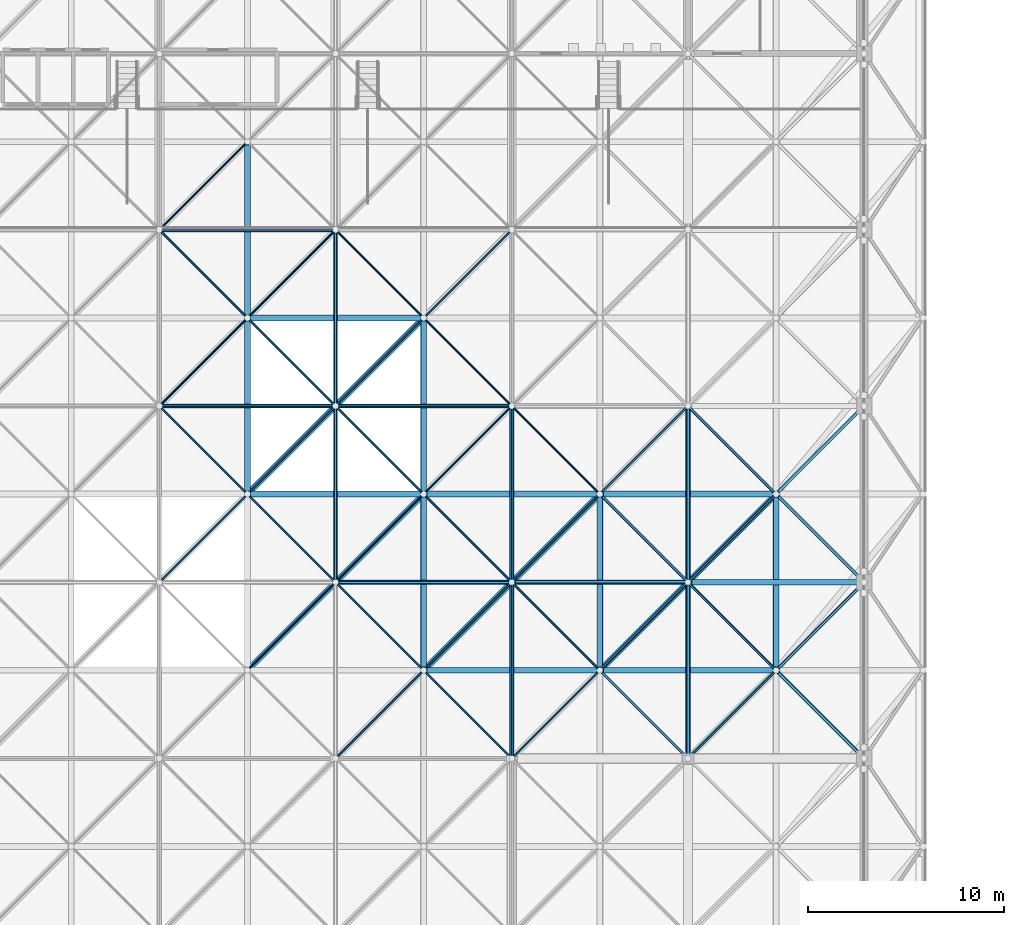
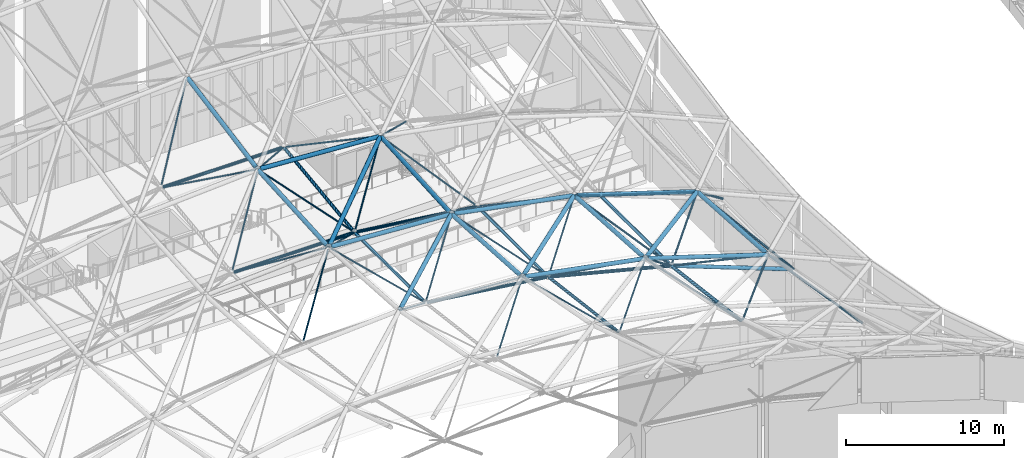
# One storey, part 100 of 437: 66 members.
"""IFC4 building model written with IfcOpenShell, lengths in metres."""

from ifc_helpers import new_model, si_unit, direction, frame, origin, origin_2d, place, context, subcontext, project, spatial, hollow_circle, extrude, material, material_profile, profile_set, type_object, element, save


model = new_model("IFC4")

# Units and contexts
model_context = context("Model", 3, precision=1e-05, world=origin(), true_north=direction((0.0, 1.0)))
body_context = subcontext(model_context, "Body", "Model", "MODEL_VIEW")
ifc_project = project(units=[si_unit("LENGTHUNIT", "METRE"), si_unit("AREAUNIT", "SQUARE_METRE"), si_unit("VOLUMEUNIT", "CUBIC_METRE"), si_unit("PLANEANGLEUNIT", "RADIAN"), si_unit("MASSUNIT", "GRAM", prefix="KILO")], contexts=[model_context])

# Site, building, storey
site_placement = place(None, origin())
site = spatial("IfcSite", under=ifc_project, at=site_placement, CompositionType="ELEMENT")
building_placement = place(site_placement, origin())
building = spatial("IfcBuilding", under=site, at=building_placement, Name="Opaline Strait Convention Centre", CompositionType="ELEMENT")
storey_placement = place(building_placement, frame((0.0, 0.0, 11.5)))
storey = spatial("IfcBuildingStorey", under=building, at=storey_placement, Name="L02", CompositionType="ELEMENT", Elevation=11.5)

# Members
ifc_material = material(Name="Steel Q355B", Category="steel")
ifc_material_profile_1 = material_profile(ifc_material, hollow_circle(Radius=0.109619140625, WallThickness=0.008056640625, at=origin_2d()), Name="CHS 219x8")
ifc_profile_set_1 = profile_set([ifc_material_profile_1], Name="Steel Q355B")
member_type_1 = type_object("IfcMemberType", Name="Shell truss bottom chord CHS 219x8", PredefinedType="CHORD", material=ifc_profile_set_1)
member_1_placement = place(storey_placement, frame((45.14990234375, 144.0, 10.676025390625), z_axis=(0.992034447069, 0.0, -0.125966883853), x_axis=(0.0, 1.0, 0.0)))
element("IfcMember", 1, at=member_1_placement, inside=storey, type_object=member_type_1, Name="PBC3 bottom chord X5-4", PredefinedType="CHORD", context=body_context, shape_type="SweptSolid", body=[
    extrude(hollow_circle(Radius=0.109619140625, WallThickness=0.008056640625, at=origin_2d()), origin(), (0.0, 0.0, 1.0), 8.77001953125),
])
member_2_placement = place(storey_placement, frame((36.14990234375, 153.0, 10.695068359375), z_axis=(1.0, 0.0, 0.0), x_axis=(0.0, 1.0, 0.0)))
element("IfcMember", 2, at=member_2_placement, inside=storey, type_object=member_type_1, Name="PBC3 bottom chord X4-5", PredefinedType="CHORD", context=body_context, shape_type="SweptSolid", body=[
    extrude(hollow_circle(Radius=0.109619140625, WallThickness=0.008056640625, at=origin_2d()), origin(), (0.0, 0.0, 1.0), 8.7001953125),
])
member_3_placement = place(storey_placement, frame((45.14990234375, 153.0, 10.676025390625), z_axis=(0.992034447069, 0.0, -0.125966883853), x_axis=(0.0, 1.0, 0.0)))
element("IfcMember", 3, at=member_3_placement, inside=storey, type_object=member_type_1, Name="PBC3 bottom chord X5-5", PredefinedType="CHORD", context=body_context, shape_type="SweptSolid", body=[
    extrude(hollow_circle(Radius=0.109619140625, WallThickness=0.008056640625, at=origin_2d()), origin(), (0.0, 0.0, 1.0), 8.77001953125),
])
for number, where, z_axis, x_axis, name in (
    (4, (36.14990234375, 162.0, 11.837890625), (1.0, 0.0, 0.0), (0.0, 1.0, 0.0), "PBC3 bottom chord X4-6"),
    (5, (45.0, 144.14990234375, 10.695068359375), (0.0, 1.0, 0.0), (-1.0, 0.0, 0.0), "PBC3 bottom chord Y5-4"),
):
    element("IfcMember", number, at=place(storey_placement, frame(where, z_axis=z_axis, x_axis=x_axis)), inside=storey, type_object=member_type_1, Name=name, PredefinedType="CHORD", context=body_context, shape_type="SweptSolid", body=[
        extrude(hollow_circle(Radius=0.109619140625, WallThickness=0.008056640625, at=origin_2d()), origin(), (0.0, 0.0, 1.0), 8.7001953125),
    ])
for number, where, z_axis, x_axis, name in (
    (6, (45.0, 153.14990234375, 10.714111328125), (0.0, 0.992034447069, 0.125966883853), (-1.0, 0.0, 0.0), "PBC3 bottom chord Y5-5"),
    (7, (54.0, 135.14990234375, 10.676025390625), (0.0, 0.992034447069, -0.125966883853), (-1.0, 0.0, 0.0), "PBC3 bottom chord Y6-3"),
):
    element("IfcMember", number, at=place(storey_placement, frame(where, z_axis=z_axis, x_axis=x_axis)), inside=storey, type_object=member_type_1, Name=name, PredefinedType="CHORD", context=body_context, shape_type="SweptSolid", body=[
        extrude(hollow_circle(Radius=0.109619140625, WallThickness=0.008056640625, at=origin_2d()), origin(), (0.0, 0.0, 1.0), 8.77001953125),
    ])
member_4_placement = place(storey_placement, frame((54.0, 144.14990234375, 9.552001953125), z_axis=(0.0, 1.0, 0.0), x_axis=(-1.0, 0.0, 0.0)))
element("IfcMember", 8, at=member_4_placement, inside=storey, type_object=member_type_1, Name="PBC3 bottom chord Y6-4", PredefinedType="CHORD", context=body_context, shape_type="SweptSolid", body=[
    extrude(hollow_circle(Radius=0.109619140625, WallThickness=0.008056640625, at=origin_2d()), origin(), (0.0, 0.0, 1.0), 8.7001953125),
])
ifc_material_profile_2 = material_profile(ifc_material, hollow_circle(Radius=0.12255859375, WallThickness=0.011962890625, at=origin_2d()), Name="CHS 245x12")
ifc_profile_set_2 = profile_set([ifc_material_profile_2], Name="Steel Q355B")
member_type_2 = type_object("IfcMemberType", Name="Shell truss bottom chord CHS 245x12", PredefinedType="CHORD", material=ifc_profile_set_2)
member_5_placement = place(storey_placement, frame((54.14990234375, 144.0, 9.513916015625), z_axis=(0.969233447146, 0.0, -0.246143301624), x_axis=(0.0, 1.0, 0.0)))
element("IfcMember", 9, at=member_5_placement, inside=storey, type_object=member_type_2, Name="PBC2 bottom chord X6-4", PredefinedType="CHORD", context=body_context, shape_type="SweptSolid", body=[
    extrude(hollow_circle(Radius=0.12255859375, WallThickness=0.011962890625, at=origin_2d()), origin(), (0.0, 0.0, 1.0), 8.976318359375),
])
member_6_placement = place(storey_placement, frame((63.0, 135.14990234375, 8.39013671875), z_axis=(0.0, 0.992034447069, -0.125966883853), x_axis=(-1.0, 0.0, 0.0)))
element("IfcMember", 10, at=member_6_placement, inside=storey, type_object=member_type_2, Name="PBC2 bottom chord Y7-3", PredefinedType="CHORD", context=body_context, shape_type="SweptSolid", body=[
    extrude(hollow_circle(Radius=0.12255859375, WallThickness=0.011962890625, at=origin_2d()), origin(), (0.0, 0.0, 1.0), 8.77001953125),
])
member_7_placement = place(storey_placement, frame((63.0, 144.14990234375, 7.266357421875), z_axis=(0.0, 1.0, 0.0), x_axis=(-1.0, 0.0, 0.0)))
element("IfcMember", 11, at=member_7_placement, inside=storey, type_object=member_type_2, Name="PBC2 bottom chord Y7-4", PredefinedType="CHORD", context=body_context, shape_type="SweptSolid", body=[
    extrude(hollow_circle(Radius=0.12255859375, WallThickness=0.011962890625, at=origin_2d()), origin(), (0.0, 0.0, 1.0), 8.7001953125),
])
ifc_material_profile_3 = material_profile(ifc_material, hollow_circle(Radius=0.136474609375, WallThickness=0.011962890625, at=origin_2d()), Name="CHS 273x12")
ifc_profile_set_3 = profile_set([ifc_material_profile_3], Name="Steel Q355B")
member_type_3 = type_object("IfcMemberType", Name="Shell truss bottom chord CHS 273x12", PredefinedType="CHORD", material=ifc_profile_set_3)
member_8_placement = place(storey_placement, frame((63.14990234375, 144.0, 7.209228515625), z_axis=(0.934493135261, 0.0, -0.355981151397), x_axis=(0.0, 1.0, 0.0)))
element("IfcMember", 12, at=member_8_placement, inside=storey, type_object=member_type_3, Name="PBC1 bottom chord X7-4", PredefinedType="CHORD", context=body_context, shape_type="SweptSolid", body=[
    extrude(hollow_circle(Radius=0.136474609375, WallThickness=0.011962890625, at=origin_2d()), origin(), (0.0, 0.0, 1.0), 9.31005859375),
])
ifc_material_profile_4 = material_profile(ifc_material, hollow_circle(Radius=0.1494140625, WallThickness=0.010009765625, at=origin_2d()), Name="CHS 299x10")
ifc_profile_set_4 = profile_set([ifc_material_profile_4], Name="Steel Q355B")
member_type_4 = type_object("IfcMemberType", Name="Shell truss top chord CHS 299x10", PredefinedType="CHORD", material=ifc_profile_set_4)
member_9_placement = place(storey_placement, frame((49.64990234375, 139.5, 13.81640625), z_axis=(0.982337601302, 0.0, -0.187117174701), x_axis=(0.0, 1.0, 0.0)))
element("IfcMember", 13, at=member_9_placement, inside=storey, type_object=member_type_4, Name="PTC2 top chord X6-4", PredefinedType="CHORD", context=body_context, shape_type="SweptSolid", body=[
    extrude(hollow_circle(Radius=0.1494140625, WallThickness=0.010009765625, at=origin_2d()), origin(), (0.0, 0.0, 1.0), 8.856689453125),
])
member_10_placement = place(storey_placement, frame((40.64990234375, 148.5, 13.83544921875), z_axis=(0.997991520688, 0.0, -0.063347649001), x_axis=(0.0, 1.0, 0.0)))
element("IfcMember", 14, at=member_10_placement, inside=storey, type_object=member_type_4, Name="PTC2 top chord X5-5", PredefinedType="CHORD", context=body_context, shape_type="SweptSolid", body=[
    extrude(hollow_circle(Radius=0.1494140625, WallThickness=0.010009765625, at=origin_2d()), origin(), (0.0, 0.0, 1.0), 8.7177734375),
])
member_11_placement = place(storey_placement, frame((49.64990234375, 148.5, 13.2451171875), z_axis=(0.982337601302, 0.0, -0.187117174701), x_axis=(0.0, 1.0, 0.0)))
element("IfcMember", 15, at=member_11_placement, inside=storey, type_object=member_type_4, Name="PTC2 top chord X6-5", PredefinedType="CHORD", context=body_context, shape_type="SweptSolid", body=[
    extrude(hollow_circle(Radius=0.1494140625, WallThickness=0.010009765625, at=origin_2d()), origin(), (0.0, 0.0, 1.0), 8.856689453125),
])
for number, where, z_axis, x_axis, name in (
    (16, (40.64990234375, 157.5, 14.406982421875), (0.997989749805, 0.0, -0.063375541694), (0.0, 1.0, 0.0), "PTC2 top chord X5-6"),
    (17, (40.5, 148.64990234375, 13.8544921875), (0.0, 0.997989749805, 0.063375541694), (-1.0, 0.0, 0.0), "PTC2 top chord Y5-5"),
):
    element("IfcMember", number, at=place(storey_placement, frame(where, z_axis=z_axis, x_axis=x_axis)), inside=storey, type_object=member_type_4, Name=name, PredefinedType="CHORD", context=body_context, shape_type="SweptSolid", body=[
        extrude(hollow_circle(Radius=0.1494140625, WallThickness=0.010009765625, at=origin_2d()), origin(), (0.0, 0.0, 1.0), 8.7177734375),
    ])
member_12_placement = place(storey_placement, frame((40.5, 157.64990234375, 14.445068359375), z_axis=(0.0, 0.982342667914, 0.187090573777), x_axis=(-1.0, 0.0, 0.0)))
element("IfcMember", 18, at=member_12_placement, inside=storey, type_object=member_type_4, Name="PTC2 top chord Y5-6", PredefinedType="CHORD", context=body_context, shape_type="SweptSolid", body=[
    extrude(hollow_circle(Radius=0.1494140625, WallThickness=0.010009765625, at=origin_2d()), origin(), (0.0, 0.0, 1.0), 8.856689453125),
])
for number, where, z_axis, x_axis, name in (
    (19, (49.5, 139.64990234375, 13.83544921875), (0.0, 0.997991520688, -0.063347649001), (-1.0, 0.0, 0.0), "PTC2 top chord Y6-4"),
    (20, (49.5, 148.64990234375, 13.283203125), (0.0, 0.997991520688, 0.063347649001), (-1.0, 0.0, 0.0), "PTC2 top chord Y6-5"),
):
    element("IfcMember", number, at=place(storey_placement, frame(where, z_axis=z_axis, x_axis=x_axis)), inside=storey, type_object=member_type_4, Name=name, PredefinedType="CHORD", context=body_context, shape_type="SweptSolid", body=[
        extrude(hollow_circle(Radius=0.1494140625, WallThickness=0.010009765625, at=origin_2d()), origin(), (0.0, 0.0, 1.0), 8.7177734375),
    ])
member_13_placement = place(storey_placement, frame((40.606201171875, 139.606201171875, 14.403076171875), z_axis=(0.704272973434, 0.704272973434, -0.089438010823), x_axis=(-0.707106781187, 0.707106781187, 0.0)))
element("IfcMember", 21, at=member_13_placement, inside=storey, type_object=member_type_4, Name="PTC2 top chord D5-4", PredefinedType="CHORD", context=body_context, shape_type="SweptSolid", body=[
    extrude(hollow_circle(Radius=0.1494140625, WallThickness=0.010009765625, at=origin_2d()), origin(), (0.0, 0.0, 1.0), 12.4775390625),
])
member_14_placement = place(storey_placement, frame((40.606201171875, 148.606201171875, 13.844970703125), z_axis=(0.707106781187, 0.707106781187, 0.0), x_axis=(-0.707106781187, 0.707106781187, 0.0)))
element("IfcMember", 22, at=member_14_placement, inside=storey, type_object=member_type_4, Name="PTC2 top chord D5-5", PredefinedType="CHORD", context=body_context, shape_type="SweptSolid", body=[
    extrude(hollow_circle(Radius=0.1494140625, WallThickness=0.010009765625, at=origin_2d()), origin(), (0.0, 0.0, 1.0), 12.427490234375),
])
member_15_placement = place(storey_placement, frame((49.606201171875, 139.606201171875, 13.818115234375), z_axis=(0.695971699433, 0.695971699433, -0.176767607829), x_axis=(-0.707106781187, 0.707106781187, 0.0)))
element("IfcMember", 23, at=member_15_placement, inside=storey, type_object=member_type_4, Name="PTC2 top chord D6-4", PredefinedType="CHORD", context=body_context, shape_type="SweptSolid", body=[
    extrude(hollow_circle(Radius=0.1494140625, WallThickness=0.010009765625, at=origin_2d()), origin(), (0.0, 0.0, 1.0), 12.62646484375),
])
ifc_material_profile_5 = material_profile(ifc_material, hollow_circle(Radius=0.1494140625, WallThickness=0.01611328125, at=origin_2d()), Name="CHS 299x16")
ifc_profile_set_5 = profile_set([ifc_material_profile_5], Name="Steel Q355B")
member_type_5 = type_object("IfcMemberType", Name="Shell truss top chord CHS 299x16", PredefinedType="CHORD", material=ifc_profile_set_5)
member_16_placement = place(storey_placement, frame((58.64990234375, 139.5, 12.0830078125), z_axis=(0.953132102782, 0.0, -0.302554449059), x_axis=(0.0, 1.0, 0.0)))
element("IfcMember", 24, at=member_16_placement, inside=storey, type_object=member_type_5, Name="PTC1 top chord X7-4", PredefinedType="CHORD", context=body_context, shape_type="SweptSolid", body=[
    extrude(hollow_circle(Radius=0.1494140625, WallThickness=0.01611328125, at=origin_2d()), origin(), (0.0, 0.0, 1.0), 9.1279296875),
])
member_17_placement = place(storey_placement, frame((58.64990234375, 148.5, 11.51171875), z_axis=(0.95312438958, 0.0, -0.302578746754), x_axis=(0.0, 1.0, 0.0)))
element("IfcMember", 25, at=member_17_placement, inside=storey, type_object=member_type_5, Name="PTC1 top chord X7-5", PredefinedType="CHORD", context=body_context, shape_type="SweptSolid", body=[
    extrude(hollow_circle(Radius=0.1494140625, WallThickness=0.01611328125, at=origin_2d()), origin(), (0.0, 0.0, 1.0), 9.128173828125),
])
for number, where, z_axis, x_axis, name in (
    (26, (58.5, 139.64990234375, 12.12109375), (0.0, 0.997991520688, -0.063347649001), (-1.0, 0.0, 0.0), "PTC1 top chord Y7-4"),
    (27, (67.5, 139.64990234375, 9.263916015625), (0.0, 0.997991520688, -0.063347649001), (-1.0, 0.0, 0.0), "PTC1 top chord Y8-4"),
):
    element("IfcMember", number, at=place(storey_placement, frame(where, z_axis=z_axis, x_axis=x_axis)), inside=storey, type_object=member_type_5, Name=name, PredefinedType="CHORD", context=body_context, shape_type="SweptSolid", body=[
        extrude(hollow_circle(Radius=0.1494140625, WallThickness=0.01611328125, at=origin_2d()), origin(), (0.0, 0.0, 1.0), 8.7177734375),
    ])
member_18_placement = place(storey_placement, frame((58.606201171875, 139.606201171875, 12.09033203125), z_axis=(0.682765524407, 0.682765524407, -0.260120121026), x_axis=(-0.707106781187, 0.707106781187, 0.0)))
element("IfcMember", 28, at=member_18_placement, inside=storey, type_object=member_type_5, Name="PTC1 top chord D7-4", PredefinedType="CHORD", context=body_context, shape_type="SweptSolid", body=[
    extrude(hollow_circle(Radius=0.1494140625, WallThickness=0.01611328125, at=origin_2d()), origin(), (0.0, 0.0, 1.0), 12.87060546875),
])
ifc_material_profile_6 = material_profile(ifc_material, hollow_circle(Radius=0.056884765625, WallThickness=0.006103515625, at=origin_2d()), Name="CHS 114x6")
ifc_profile_set_6 = profile_set([ifc_material_profile_6], Name="Steel Q355B")
member_type_6 = type_object("IfcMemberType", Name="Shell truss web CHS 114x6", PredefinedType="BRACE", material=ifc_profile_set_6)
for number, where, z_axis, x_axis, name in (
    (29, (36.106201171875, 144.106201171875, 10.769287109375), (0.633718163842, 0.633718163842, 0.443624365464), (-0.707106781187, 0.707106781187, 0.0), "PWB3 web 4-4bd"),
    (30, (36.106201171875, 152.893798828125, 10.769287109375), (0.633718163842, -0.633718163842, 0.443624365464), (0.707106781187, 0.707106781187, 0.0), "PWB3 web 4-5bc"),
):
    element("IfcMember", number, at=place(storey_placement, frame(where, z_axis=z_axis, x_axis=x_axis)), inside=storey, type_object=member_type_6, Name=name, PredefinedType="BRACE", context=body_context, shape_type="SweptSolid", body=[
        extrude(hollow_circle(Radius=0.056884765625, WallThickness=0.006103515625, at=origin_2d()), origin(), (0.0, 0.0, 1.0), 6.765869140625),
    ])
member_19_placement = place(storey_placement, frame((36.106201171875, 153.106201171875, 10.78271484375), z_axis=(0.61039752844, 0.61039752844, 0.504806611039), x_axis=(-0.707106781187, 0.707106781187, 0.0)))
element("IfcMember", 31, at=member_19_placement, inside=storey, type_object=member_type_6, Name="PWB3 web 4-5bd", PredefinedType="BRACE", context=body_context, shape_type="SweptSolid", body=[
    extrude(hollow_circle(Radius=0.056884765625, WallThickness=0.006103515625, at=origin_2d()), origin(), (0.0, 0.0, 1.0), 7.024169921875),
])
member_20_placement = place(storey_placement, frame((36.106201171875, 161.893798828125, 11.898681640625), z_axis=(0.655347879398, -0.655347879398, 0.375550680917), x_axis=(0.707106781187, 0.707106781187, 0.0)))
element("IfcMember", 32, at=member_20_placement, inside=storey, type_object=member_type_6, Name="PWB3 web 4-6bc", PredefinedType="BRACE", context=body_context, shape_type="SweptSolid", body=[
    extrude(hollow_circle(Radius=0.056884765625, WallThickness=0.006103515625, at=origin_2d()), origin(), (0.0, 0.0, 1.0), 6.54248046875),
])
member_21_placement = place(storey_placement, frame((36.106201171875, 162.106201171875, 11.93896484375), z_axis=(0.58618937533, 0.58618937533, 0.559253102361), x_axis=(-0.707106781187, 0.707106781187, 0.0)))
element("IfcMember", 33, at=member_21_placement, inside=storey, type_object=member_type_6, Name="PWB3 web 4-6bd", PredefinedType="BRACE", context=body_context, shape_type="SweptSolid", body=[
    extrude(hollow_circle(Radius=0.056884765625, WallThickness=0.006103515625, at=origin_2d()), origin(), (0.0, 0.0, 1.0), 7.314453125),
])
member_22_placement = place(storey_placement, frame((45.106201171875, 135.106201171875, 11.88525390625), z_axis=(0.674363311794, 0.674363311794, 0.300779399914), x_axis=(-0.707106781187, 0.707106781187, 0.0)))
element("IfcMember", 34, at=member_22_placement, inside=storey, type_object=member_type_6, Name="PWB3 web 5-3bd", PredefinedType="BRACE", context=body_context, shape_type="SweptSolid", body=[
    extrude(hollow_circle(Radius=0.056884765625, WallThickness=0.006103515625, at=origin_2d()), origin(), (0.0, 0.0, 1.0), 6.35791015625),
])
member_23_placement = place(storey_placement, frame((44.893798828125, 143.893798828125, 10.78271484375), z_axis=(-0.61039752844, -0.61039752844, 0.504806611039), x_axis=(0.707106781187, -0.707106781187, 0.0)))
element("IfcMember", 35, at=member_23_placement, inside=storey, type_object=member_type_6, Name="PWB3 web 5-4ac", PredefinedType="BRACE", context=body_context, shape_type="SweptSolid", body=[
    extrude(hollow_circle(Radius=0.056884765625, WallThickness=0.006103515625, at=origin_2d()), origin(), (0.0, 0.0, 1.0), 7.024169921875),
])
for number, where, z_axis, x_axis, name in (
    (36, (44.893798828125, 144.106201171875, 10.769287109375), (-0.633718163842, 0.633718163842, 0.443624365464), (-0.707106781187, -0.707106781187, 0.0), "PWB3 web 5-4ad"),
    (37, (45.106201171875, 143.893798828125, 10.769287109375), (0.633718163842, -0.633718163842, 0.443624365464), (0.707106781187, 0.707106781187, 0.0), "PWB3 web 5-4bc"),
):
    element("IfcMember", number, at=place(storey_placement, frame(where, z_axis=z_axis, x_axis=x_axis)), inside=storey, type_object=member_type_6, Name=name, PredefinedType="BRACE", context=body_context, shape_type="SweptSolid", body=[
        extrude(hollow_circle(Radius=0.056884765625, WallThickness=0.006103515625, at=origin_2d()), origin(), (0.0, 0.0, 1.0), 6.765869140625),
    ])
member_24_placement = place(storey_placement, frame((45.106201171875, 144.106201171875, 10.755859375), z_axis=(0.655347879398, 0.655347879398, 0.375550680917), x_axis=(-0.707106781187, 0.707106781187, 0.0)))
element("IfcMember", 38, at=member_24_placement, inside=storey, type_object=member_type_6, Name="PWB3 web 5-4bd", PredefinedType="BRACE", context=body_context, shape_type="SweptSolid", body=[
    extrude(hollow_circle(Radius=0.056884765625, WallThickness=0.006103515625, at=origin_2d()), origin(), (0.0, 0.0, 1.0), 6.54248046875),
])
member_25_placement = place(storey_placement, frame((44.893798828125, 152.893798828125, 10.769287109375), z_axis=(-0.633718163842, -0.633718163842, 0.443624365464), x_axis=(0.707106781187, -0.707106781187, 0.0)))
element("IfcMember", 39, at=member_25_placement, inside=storey, type_object=member_type_6, Name="PWB3 web 5-5ac", PredefinedType="BRACE", context=body_context, shape_type="SweptSolid", body=[
    extrude(hollow_circle(Radius=0.056884765625, WallThickness=0.006103515625, at=origin_2d()), origin(), (0.0, 0.0, 1.0), 6.765869140625),
])
member_26_placement = place(storey_placement, frame((44.893798828125, 153.106201171875, 10.78271484375), z_axis=(-0.61039752844, 0.61039752844, 0.504806611039), x_axis=(-0.707106781187, -0.707106781187, 0.0)))
element("IfcMember", 40, at=member_26_placement, inside=storey, type_object=member_type_6, Name="PWB3 web 5-5ad", PredefinedType="BRACE", context=body_context, shape_type="SweptSolid", body=[
    extrude(hollow_circle(Radius=0.056884765625, WallThickness=0.006103515625, at=origin_2d()), origin(), (0.0, 0.0, 1.0), 7.024169921875),
])
member_27_placement = place(storey_placement, frame((45.106201171875, 152.893798828125, 10.755859375), z_axis=(0.655347879398, -0.655347879398, 0.375550680917), x_axis=(0.707106781187, 0.707106781187, 0.0)))
element("IfcMember", 41, at=member_27_placement, inside=storey, type_object=member_type_6, Name="PWB3 web 5-5bc", PredefinedType="BRACE", context=body_context, shape_type="SweptSolid", body=[
    extrude(hollow_circle(Radius=0.056884765625, WallThickness=0.006103515625, at=origin_2d()), origin(), (0.0, 0.0, 1.0), 6.54248046875),
])
member_28_placement = place(storey_placement, frame((45.106201171875, 153.106201171875, 10.769287109375), z_axis=(0.633718163842, 0.633718163842, 0.443624365464), x_axis=(-0.707106781187, 0.707106781187, 0.0)))
element("IfcMember", 42, at=member_28_placement, inside=storey, type_object=member_type_6, Name="PWB3 web 5-5bd", PredefinedType="BRACE", context=body_context, shape_type="SweptSolid", body=[
    extrude(hollow_circle(Radius=0.056884765625, WallThickness=0.006103515625, at=origin_2d()), origin(), (0.0, 0.0, 1.0), 6.765869140625),
])
member_29_placement = place(storey_placement, frame((44.893798828125, 161.893798828125, 11.898681640625), z_axis=(-0.655347879398, -0.655347879398, 0.375550680917), x_axis=(0.707106781187, -0.707106781187, 0.0)))
element("IfcMember", 43, at=member_29_placement, inside=storey, type_object=member_type_6, Name="PWB3 web 5-6ac", PredefinedType="BRACE", context=body_context, shape_type="SweptSolid", body=[
    extrude(hollow_circle(Radius=0.056884765625, WallThickness=0.006103515625, at=origin_2d()), origin(), (0.0, 0.0, 1.0), 6.54248046875),
])
member_30_placement = place(storey_placement, frame((45.106201171875, 161.893798828125, 11.88525390625), z_axis=(0.674363311794, -0.674363311794, 0.300779399914), x_axis=(0.707106781187, 0.707106781187, 0.0)))
element("IfcMember", 44, at=member_30_placement, inside=storey, type_object=member_type_6, Name="PWB3 web 5-6bc", PredefinedType="BRACE", context=body_context, shape_type="SweptSolid", body=[
    extrude(hollow_circle(Radius=0.056884765625, WallThickness=0.006103515625, at=origin_2d()), origin(), (0.0, 0.0, 1.0), 6.35791015625),
])
member_31_placement = place(storey_placement, frame((53.893798828125, 135.106201171875, 10.769287109375), z_axis=(-0.633718163842, 0.633718163842, 0.443624365464), x_axis=(-0.707106781187, -0.707106781187, 0.0)))
element("IfcMember", 45, at=member_31_placement, inside=storey, type_object=member_type_6, Name="PWB3 web 6-3ad", PredefinedType="BRACE", context=body_context, shape_type="SweptSolid", body=[
    extrude(hollow_circle(Radius=0.056884765625, WallThickness=0.006103515625, at=origin_2d()), origin(), (0.0, 0.0, 1.0), 6.765869140625),
])
member_32_placement = place(storey_placement, frame((54.106201171875, 135.106201171875, 10.728759765625), z_axis=(0.689766139831, 0.689766139831, 0.220103031979), x_axis=(-0.707106781187, 0.707106781187, 0.0)))
element("IfcMember", 46, at=member_32_placement, inside=storey, type_object=member_type_6, Name="PWB3 web 6-3bd", PredefinedType="BRACE", context=body_context, shape_type="SweptSolid", body=[
    extrude(hollow_circle(Radius=0.056884765625, WallThickness=0.006103515625, at=origin_2d()), origin(), (0.0, 0.0, 1.0), 6.216064453125),
])
member_33_placement = place(storey_placement, frame((53.893798828125, 143.893798828125, 9.6533203125), z_axis=(-0.58618937533, -0.58618937533, 0.559253102361), x_axis=(0.707106781187, -0.707106781187, 0.0)))
element("IfcMember", 47, at=member_33_placement, inside=storey, type_object=member_type_6, Name="PWB3 web 6-4ac", PredefinedType="BRACE", context=body_context, shape_type="SweptSolid", body=[
    extrude(hollow_circle(Radius=0.056884765625, WallThickness=0.006103515625, at=origin_2d()), origin(), (0.0, 0.0, 1.0), 7.314453125),
])
member_34_placement = place(storey_placement, frame((53.893798828125, 144.106201171875, 9.639892578125), z_axis=(-0.61039752844, 0.61039752844, 0.504806611039), x_axis=(-0.707106781187, -0.707106781187, 0.0)))
element("IfcMember", 48, at=member_34_placement, inside=storey, type_object=member_type_6, Name="PWB3 web 6-4ad", PredefinedType="BRACE", context=body_context, shape_type="SweptSolid", body=[
    extrude(hollow_circle(Radius=0.056884765625, WallThickness=0.006103515625, at=origin_2d()), origin(), (0.0, 0.0, 1.0), 7.024169921875),
])
member_35_placement = place(storey_placement, frame((54.106201171875, 143.893798828125, 9.61279296875), z_axis=(0.655347879398, -0.655347879398, 0.375550680917), x_axis=(0.707106781187, 0.707106781187, 0.0)))
element("IfcMember", 49, at=member_35_placement, inside=storey, type_object=member_type_6, Name="PWB3 web 6-4bc", PredefinedType="BRACE", context=body_context, shape_type="SweptSolid", body=[
    extrude(hollow_circle(Radius=0.056884765625, WallThickness=0.006103515625, at=origin_2d()), origin(), (0.0, 0.0, 1.0), 6.54248046875),
])
member_36_placement = place(storey_placement, frame((54.106201171875, 144.106201171875, 9.599609375), z_axis=(0.674363311794, 0.674363311794, 0.300779399914), x_axis=(-0.707106781187, 0.707106781187, 0.0)))
element("IfcMember", 50, at=member_36_placement, inside=storey, type_object=member_type_6, Name="PWB3 web 6-4bd", PredefinedType="BRACE", context=body_context, shape_type="SweptSolid", body=[
    extrude(hollow_circle(Radius=0.056884765625, WallThickness=0.006103515625, at=origin_2d()), origin(), (0.0, 0.0, 1.0), 6.35791015625),
])
member_37_placement = place(storey_placement, frame((53.893798828125, 152.893798828125, 9.639892578125), z_axis=(-0.61039752844, -0.61039752844, 0.504806611039), x_axis=(0.707106781187, -0.707106781187, 0.0)))
element("IfcMember", 51, at=member_37_placement, inside=storey, type_object=member_type_6, Name="PWB3 web 6-5ac", PredefinedType="BRACE", context=body_context, shape_type="SweptSolid", body=[
    extrude(hollow_circle(Radius=0.056884765625, WallThickness=0.006103515625, at=origin_2d()), origin(), (0.0, 0.0, 1.0), 7.024169921875),
])
member_38_placement = place(storey_placement, frame((53.893798828125, 153.106201171875, 9.6533203125), z_axis=(-0.58618937533, 0.58618937533, 0.559253102361), x_axis=(-0.707106781187, -0.707106781187, 0.0)))
element("IfcMember", 52, at=member_38_placement, inside=storey, type_object=member_type_6, Name="PWB3 web 6-5ad", PredefinedType="BRACE", context=body_context, shape_type="SweptSolid", body=[
    extrude(hollow_circle(Radius=0.056884765625, WallThickness=0.006103515625, at=origin_2d()), origin(), (0.0, 0.0, 1.0), 7.314453125),
])
member_39_placement = place(storey_placement, frame((54.106201171875, 152.893798828125, 9.599609375), z_axis=(0.674363311794, -0.674363311794, 0.300779399914), x_axis=(0.707106781187, 0.707106781187, 0.0)))
element("IfcMember", 53, at=member_39_placement, inside=storey, type_object=member_type_6, Name="PWB3 web 6-5bc", PredefinedType="BRACE", context=body_context, shape_type="SweptSolid", body=[
    extrude(hollow_circle(Radius=0.056884765625, WallThickness=0.006103515625, at=origin_2d()), origin(), (0.0, 0.0, 1.0), 6.35791015625),
])
member_40_placement = place(storey_placement, frame((53.893798828125, 161.893798828125, 10.769287109375), z_axis=(-0.633718163842, -0.633718163842, 0.443624365464), x_axis=(0.707106781187, -0.707106781187, 0.0)))
element("IfcMember", 54, at=member_40_placement, inside=storey, type_object=member_type_6, Name="PWB3 web 6-6ac", PredefinedType="BRACE", context=body_context, shape_type="SweptSolid", body=[
    extrude(hollow_circle(Radius=0.056884765625, WallThickness=0.006103515625, at=origin_2d()), origin(), (0.0, 0.0, 1.0), 6.765869140625),
])
ifc_material_profile_7 = material_profile(ifc_material, hollow_circle(Radius=0.070068359375, WallThickness=0.008056640625, at=origin_2d()), Name="CHS 140x8")
ifc_profile_set_7 = profile_set([ifc_material_profile_7], Name="Steel Q355B")
member_type_7 = type_object("IfcMemberType", Name="Shell truss web CHS 140x8", PredefinedType="BRACE", material=ifc_profile_set_7)
member_41_placement = place(storey_placement, frame((62.893798828125, 135.106201171875, 8.4970703125), z_axis=(-0.61039752844, 0.61039752844, 0.504806611039), x_axis=(-0.707106781187, -0.707106781187, 0.0)))
element("IfcMember", 55, at=member_41_placement, inside=storey, type_object=member_type_7, Name="PWB2 web 7-3ad", PredefinedType="BRACE", context=body_context, shape_type="SweptSolid", body=[
    extrude(hollow_circle(Radius=0.070068359375, WallThickness=0.008056640625, at=origin_2d()), origin(), (0.0, 0.0, 1.0), 7.024169921875),
])
member_42_placement = place(storey_placement, frame((63.106201171875, 135.106201171875, 8.4296875), z_axis=(0.700674687609, 0.700674687609, 0.134573267356), x_axis=(-0.707106781187, 0.707106781187, 0.0)))
element("IfcMember", 56, at=member_42_placement, inside=storey, type_object=member_type_7, Name="PWB2 web 7-3bd", PredefinedType="BRACE", context=body_context, shape_type="SweptSolid", body=[
    extrude(hollow_circle(Radius=0.070068359375, WallThickness=0.008056640625, at=origin_2d()), origin(), (0.0, 0.0, 1.0), 6.119140625),
])
member_43_placement = place(storey_placement, frame((62.893798828125, 143.893798828125, 7.381103515625), z_axis=(-0.561778263095, -0.561778263095, 0.607297592806), x_axis=(0.707106781187, -0.707106781187, 0.0)))
element("IfcMember", 57, at=member_43_placement, inside=storey, type_object=member_type_7, Name="PWB2 web 7-4ac", PredefinedType="BRACE", context=body_context, shape_type="SweptSolid", body=[
    extrude(hollow_circle(Radius=0.070068359375, WallThickness=0.008056640625, at=origin_2d()), origin(), (0.0, 0.0, 1.0), 7.632080078125),
])
member_44_placement = place(storey_placement, frame((62.893798828125, 144.106201171875, 7.36767578125), z_axis=(-0.586200317653, 0.586200317653, 0.559230162963), x_axis=(-0.707106781187, -0.707106781187, 0.0)))
element("IfcMember", 58, at=member_44_placement, inside=storey, type_object=member_type_7, Name="PWB2 web 7-4ad", PredefinedType="BRACE", context=body_context, shape_type="SweptSolid", body=[
    extrude(hollow_circle(Radius=0.070068359375, WallThickness=0.008056640625, at=origin_2d()), origin(), (0.0, 0.0, 1.0), 7.314208984375),
])
member_45_placement = place(storey_placement, frame((63.106201171875, 143.893798828125, 7.313720703125), z_axis=(0.674355522785, -0.674355522785, 0.300814324422), x_axis=(0.707106781187, 0.707106781187, 0.0)))
element("IfcMember", 59, at=member_45_placement, inside=storey, type_object=member_type_7, Name="PWB2 web 7-4bc", PredefinedType="BRACE", context=body_context, shape_type="SweptSolid", body=[
    extrude(hollow_circle(Radius=0.070068359375, WallThickness=0.008056640625, at=origin_2d()), origin(), (0.0, 0.0, 1.0), 6.358154296875),
])
member_46_placement = place(storey_placement, frame((63.106201171875, 144.106201171875, 7.30029296875), z_axis=(0.689772102252, 0.689772102252, 0.220065658178), x_axis=(-0.707106781187, 0.707106781187, 0.0)))
element("IfcMember", 60, at=member_46_placement, inside=storey, type_object=member_type_7, Name="PWB2 web 7-4bd", PredefinedType="BRACE", context=body_context, shape_type="SweptSolid", body=[
    extrude(hollow_circle(Radius=0.070068359375, WallThickness=0.008056640625, at=origin_2d()), origin(), (0.0, 0.0, 1.0), 6.216064453125),
])
member_47_placement = place(storey_placement, frame((62.893798828125, 152.893798828125, 7.36767578125), z_axis=(-0.586200317653, -0.586200317653, 0.559230162963), x_axis=(0.707106781187, -0.707106781187, 0.0)))
element("IfcMember", 61, at=member_47_placement, inside=storey, type_object=member_type_7, Name="PWB2 web 7-5ac", PredefinedType="BRACE", context=body_context, shape_type="SweptSolid", body=[
    extrude(hollow_circle(Radius=0.070068359375, WallThickness=0.008056640625, at=origin_2d()), origin(), (0.0, 0.0, 1.0), 7.314208984375),
])
member_48_placement = place(storey_placement, frame((63.106201171875, 152.893798828125, 7.30029296875), z_axis=(0.689772102252, -0.689772102252, 0.220065658178), x_axis=(0.707106781187, 0.707106781187, 0.0)))
element("IfcMember", 62, at=member_48_placement, inside=storey, type_object=member_type_7, Name="PWB2 web 7-5bc", PredefinedType="BRACE", context=body_context, shape_type="SweptSolid", body=[
    extrude(hollow_circle(Radius=0.070068359375, WallThickness=0.008056640625, at=origin_2d()), origin(), (0.0, 0.0, 1.0), 6.216064453125),
])
ifc_material_profile_8 = material_profile(ifc_material, hollow_circle(Radius=0.083984375, WallThickness=0.010009765625, at=origin_2d()), Name="CHS 168x10")
ifc_profile_set_8 = profile_set([ifc_material_profile_8], Name="Steel Q355B")
member_type_8 = type_object("IfcMemberType", Name="Shell truss web CHS 168x10", PredefinedType="BRACE", material=ifc_profile_set_8)
member_49_placement = place(storey_placement, frame((71.893798828125, 135.106201171875, 5.081787109375), z_axis=(-0.58618937533, 0.58618937533, 0.559253102361), x_axis=(-0.707106781187, -0.707106781187, 0.0)))
element("IfcMember", 63, at=member_49_placement, inside=storey, type_object=member_type_8, Name="PWB1 web 8-3ad", PredefinedType="BRACE", context=body_context, shape_type="SweptSolid", body=[
    extrude(hollow_circle(Radius=0.083984375, WallThickness=0.010009765625, at=origin_2d()), origin(), (0.0, 0.0, 1.0), 7.314453125),
])
member_50_placement = place(storey_placement, frame((71.893798828125, 143.893798828125, 3.966064453125), z_axis=(-0.537659406453, -0.537659406453, 0.649495746949), x_axis=(0.707106781187, -0.707106781187, 0.0)))
element("IfcMember", 64, at=member_50_placement, inside=storey, type_object=member_type_8, Name="PWB1 web 8-4ac", PredefinedType="BRACE", context=body_context, shape_type="SweptSolid", body=[
    extrude(hollow_circle(Radius=0.083984375, WallThickness=0.010009765625, at=origin_2d()), origin(), (0.0, 0.0, 1.0), 7.974609375),
])
for number, where, z_axis, x_axis, name in (
    (65, (71.893798828125, 144.106201171875, 3.952392578125), (-0.561778263095, 0.561778263095, 0.607297592806), (-0.707106781187, -0.707106781187, 0.0), "PWB1 web 8-4ad"),
    (66, (71.893798828125, 152.893798828125, 3.952392578125), (-0.561778263095, -0.561778263095, 0.607297592806), (0.707106781187, -0.707106781187, 0.0), "PWB1 web 8-5ac"),
):
    element("IfcMember", number, at=place(storey_placement, frame(where, z_axis=z_axis, x_axis=x_axis)), inside=storey, type_object=member_type_8, Name=name, PredefinedType="BRACE", context=body_context, shape_type="SweptSolid", body=[
        extrude(hollow_circle(Radius=0.083984375, WallThickness=0.010009765625, at=origin_2d()), origin(), (0.0, 0.0, 1.0), 7.632080078125),
    ])

save(model, "model.ifc")
